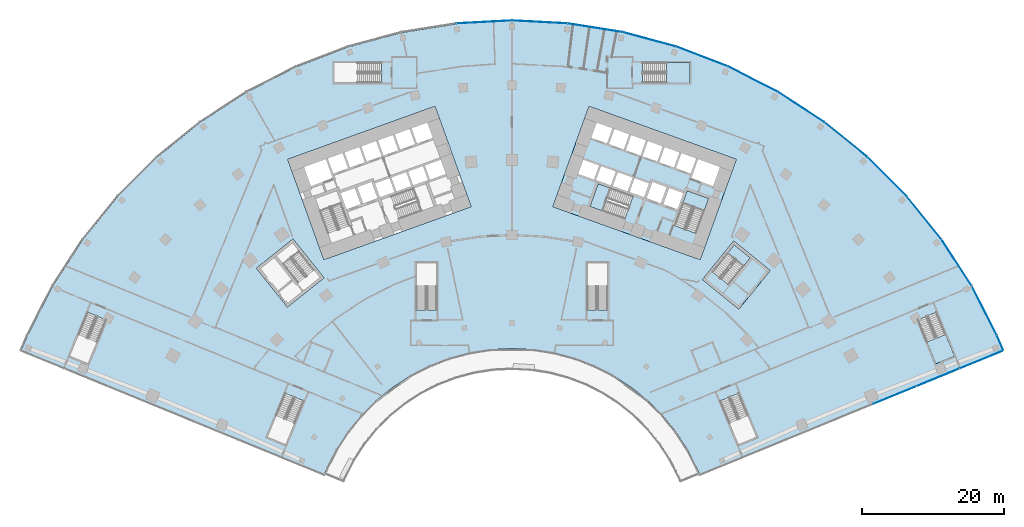
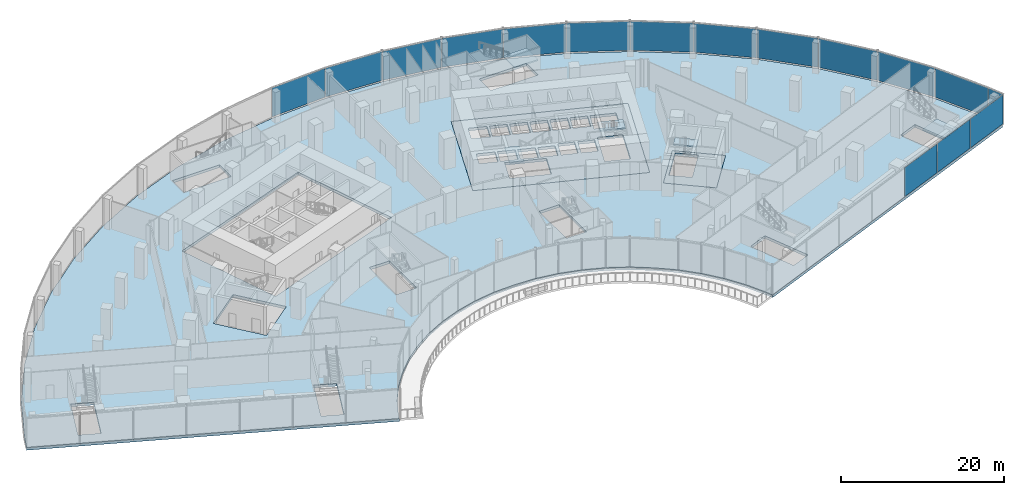
# One storey, part 21 of 39: 16 plates, 8 slabs, 7 elements without a shape of their own.
"""IFC4 building model written with IfcOpenShell, lengths in metres."""

from ifc_helpers import new_model, si_unit, direction, frame, origin, origin_2d, place, context, subcontext, project, spatial, polyline, rectangle, outline, extrude, material, layer, layer_set, type_object, element, aggregate, save


model = new_model("IFC4")

# Units and contexts
model_context = context("Model", 3, precision=1e-05, world=origin(), true_north=direction((0.0, 1.0)))
body_context = subcontext(model_context, "Body", "Model", "MODEL_VIEW")
ifc_project = project(units=[si_unit("LENGTHUNIT", "METRE"), si_unit("AREAUNIT", "SQUARE_METRE"), si_unit("VOLUMEUNIT", "CUBIC_METRE"), si_unit("PLANEANGLEUNIT", "RADIAN"), si_unit("MASSUNIT", "GRAM", prefix="KILO")], contexts=[model_context])

# Site, building, storey
site_placement = place(None, origin())
site = spatial("IfcSite", under=ifc_project, at=site_placement, CompositionType="ELEMENT")
building_placement = place(site_placement, origin())
building = spatial("IfcBuilding", under=site, at=building_placement, Name="Stone Belt Terrace Tower", CompositionType="ELEMENT")
storey_placement = place(building_placement, frame((0.0, 0.0, 20.800048828125)))
storey = spatial("IfcBuildingStorey", under=building, at=storey_placement, Name="L04", CompositionType="ELEMENT", Elevation=20.800048828125)

# Curtain wall, plates
ifc_material_1 = material(Name="Aluminium 6063-T6 anodised frame", Category="aluminium")
ifc_layer_1 = layer(ifc_material_1, 0.14990234375)
ifc_layer_set_1 = layer_set([ifc_layer_1], Name="CW-D podium shopfront")
curtain_wall_type = type_object("IfcCurtainWallType", Name="CW-D podium shopfront", PredefinedType="NOTDEFINED", material=ifc_layer_set_1)
curtain_wall_1_placement = place(storey_placement, origin())
curtain_wall_1 = element("IfcCurtainWall", 1, at=curtain_wall_1_placement, inside=storey, type_object=curtain_wall_type, Name="CW-D end face L04", PredefinedType="NOTDEFINED")
ifc_material_2 = material(Name="Clear double glazed unit")
ifc_layer_2 = layer(ifc_material_2, 0.031982421875)
ifc_layer_set_2 = layer_set([ifc_layer_2], Name="CW-D glass panel 32")
plate_type = type_object("IfcPlateType", Name="CW-D glass panel 32", PredefinedType="CURTAIN_PANEL", material=ifc_layer_set_2)
plate_1_placement = place(storey_placement, frame((53.76171875, 21.953857421875, 0.14013671875), z_axis=(0.0, 0.0, 1.0), x_axis=(0.925297074342, 0.379243093825, 0.0)))
plate_1 = element("IfcPlate", 2, at=plate_1_placement, type_object=plate_type, Name="CW-D panel 5.1", PredefinedType="CURTAIN_PANEL", context=body_context, shape_type="SweptSolid", body=[
    extrude(rectangle(XDim=6.511474609375, YDim=0.031982421875, at=origin_2d()), origin(), (0.0, 0.0, 1.0), 4.320068359375),
])
plate_2_placement = place(storey_placement, frame((59.84228515625, 24.446044921875, 0.14013671875), z_axis=(0.0, 0.0, 1.0), x_axis=(0.925297074342, 0.379243093825, 0.0)))
plate_2 = element("IfcPlate", 3, at=plate_2_placement, type_object=plate_type, Name="CW-D panel 6.1", PredefinedType="CURTAIN_PANEL", context=body_context, shape_type="SweptSolid", body=[
    extrude(rectangle(XDim=6.511474609375, YDim=0.031982421875, at=origin_2d()), origin(), (0.0, 0.0, 1.0), 4.320068359375),
])
plate_3_placement = place(storey_placement, frame((65.9375, 26.944091796875, 0.14013671875), z_axis=(0.0, 0.0, 1.0), x_axis=(0.925297074342, 0.379243093825, 0.0)))
plate_3 = element("IfcPlate", 4, at=plate_3_placement, type_object=plate_type, Name="CW-D panel 7.1", PredefinedType="CURTAIN_PANEL", context=body_context, shape_type="SweptSolid", body=[
    extrude(rectangle(XDim=6.54296875, YDim=0.031982421875, at=origin_2d()), origin(), (0.0, 0.0, 1.0), 4.320068359375),
])
aggregate(curtain_wall_1, [plate_1, plate_2, plate_3])

curtain_wall_2_placement = place(storey_placement, origin())
curtain_wall_2 = element("IfcCurtainWall", 5, at=curtain_wall_2_placement, inside=storey, type_object=curtain_wall_type, Name="CW-D convex face L04", PredefinedType="NOTDEFINED")
plate_4_placement = place(storey_placement, frame((68.572021484375, 29.292724609375, 0.14013671875), z_axis=(0.0, 0.0, 1.0), x_axis=(-0.393033792222, 0.919524028056, 0.0)))
plate_4 = element("IfcPlate", 6, at=plate_4_placement, type_object=plate_type, Name="CW-D panel 1.1", PredefinedType="CURTAIN_PANEL", context=body_context, shape_type="SweptSolid", body=[
    extrude(rectangle(XDim=2.19921875, YDim=0.031982421875, at=origin_2d()), origin(), (0.0, 0.0, 1.0), 4.320068359375),
])
plate_5_placement = place(storey_placement, frame((66.355712890625, 33.81005859375, 0.14013671875), z_axis=(0.0, 0.0, 1.0), x_axis=(-0.45399049974, 0.891006524188, 0.0)))
plate_5 = element("IfcPlate", 7, at=plate_5_placement, type_object=plate_type, Name="CW-D panel 2.1", PredefinedType="CURTAIN_PANEL", context=body_context, shape_type="SweptSolid", body=[
    extrude(rectangle(XDim=7.738037109375, YDim=0.031982421875, at=origin_2d()), origin(), (0.0, 0.0, 1.0), 4.320068359375),
])
plate_6_placement = place(storey_placement, frame((62.458251953125, 40.560791015625, 0.14013671875), z_axis=(0.0, 0.0, 1.0), x_axis=(-0.544639035015, 0.838670567945, 0.0)))
plate_6 = element("IfcPlate", 8, at=plate_6_placement, type_object=plate_type, Name="CW-D panel 3.1", PredefinedType="CURTAIN_PANEL", context=body_context, shape_type="SweptSolid", body=[
    extrude(rectangle(XDim=7.738037109375, YDim=0.031982421875, at=origin_2d()), origin(), (0.0, 0.0, 1.0), 4.320068359375),
])
plate_7_placement = place(storey_placement, frame((57.876220703125, 46.867431640625, 0.14013671875), z_axis=(0.0, 0.0, 1.0), x_axis=(-0.62932039105, 0.777145961457, 0.0)))
plate_7 = element("IfcPlate", 9, at=plate_7_placement, type_object=plate_type, Name="CW-D panel 4.1", PredefinedType="CURTAIN_PANEL", context=body_context, shape_type="SweptSolid", body=[
    extrude(rectangle(XDim=7.738037109375, YDim=0.031982421875, at=origin_2d()), origin(), (0.0, 0.0, 1.0), 4.320068359375),
])
plate_8_placement = place(storey_placement, frame((52.660400390625, 52.660400390625, 0.14013671875), z_axis=(0.0, 0.0, 1.0), x_axis=(-0.707106781187, 0.707106781187, 0.0)))
plate_8 = element("IfcPlate", 10, at=plate_8_placement, type_object=plate_type, Name="CW-D panel 5.1", PredefinedType="CURTAIN_PANEL", context=body_context, shape_type="SweptSolid", body=[
    extrude(rectangle(XDim=7.738037109375, YDim=0.031982421875, at=origin_2d()), origin(), (0.0, 0.0, 1.0), 4.320068359375),
])
plate_9_placement = place(storey_placement, frame((46.867431640625, 57.876220703125, 0.14013671875), z_axis=(0.0, 0.0, 1.0), x_axis=(-0.777145961457, 0.62932039105, 0.0)))
plate_9 = element("IfcPlate", 11, at=plate_9_placement, type_object=plate_type, Name="CW-D panel 6.1", PredefinedType="CURTAIN_PANEL", context=body_context, shape_type="SweptSolid", body=[
    extrude(rectangle(XDim=7.738037109375, YDim=0.031982421875, at=origin_2d()), origin(), (0.0, 0.0, 1.0), 4.320068359375),
])
plate_10_placement = place(storey_placement, frame((40.560791015625, 62.458251953125, 0.14013671875), z_axis=(0.0, 0.0, 1.0), x_axis=(-0.838670567945, 0.544639035015, 0.0)))
plate_10 = element("IfcPlate", 12, at=plate_10_placement, type_object=plate_type, Name="CW-D panel 7.1", PredefinedType="CURTAIN_PANEL", context=body_context, shape_type="SweptSolid", body=[
    extrude(rectangle(XDim=7.738037109375, YDim=0.031982421875, at=origin_2d()), origin(), (0.0, 0.0, 1.0), 4.320068359375),
])
plate_11_placement = place(storey_placement, frame((33.81005859375, 66.35595703125, 0.14013671875), z_axis=(0.0, 0.0, 1.0), x_axis=(-0.891006524188, 0.45399049974, 0.0)))
plate_11 = element("IfcPlate", 13, at=plate_11_placement, type_object=plate_type, Name="CW-D panel 8.1", PredefinedType="CURTAIN_PANEL", context=body_context, shape_type="SweptSolid", body=[
    extrude(rectangle(XDim=7.738037109375, YDim=0.031982421875, at=origin_2d()), origin(), (0.0, 0.0, 1.0), 4.320068359375),
])
plate_12_placement = place(storey_placement, frame((26.688720703125, 69.5263671875, 0.14013671875), z_axis=(0.0, 0.0, 1.0), x_axis=(-0.933580426497, 0.358367949545, 0.0)))
plate_12 = element("IfcPlate", 14, at=plate_12_placement, type_object=plate_type, Name="CW-D panel 9.1", PredefinedType="CURTAIN_PANEL", context=body_context, shape_type="SweptSolid", body=[
    extrude(rectangle(XDim=7.738037109375, YDim=0.031982421875, at=origin_2d()), origin(), (0.0, 0.0, 1.0), 4.320068359375),
])
plate_13_placement = place(storey_placement, frame((19.27490234375, 71.935302734375, 0.14013671875), z_axis=(0.0, 0.0, 1.0), x_axis=(-0.965925826289, 0.258819045103, 0.0)))
plate_13 = element("IfcPlate", 15, at=plate_13_placement, type_object=plate_type, Name="CW-D panel 10.1", PredefinedType="CURTAIN_PANEL", context=body_context, shape_type="SweptSolid", body=[
    extrude(rectangle(XDim=7.738037109375, YDim=0.031982421875, at=origin_2d()), origin(), (0.0, 0.0, 1.0), 4.320068359375),
])
plate_14_placement = place(storey_placement, frame((11.650146484375, 73.555908203125, 0.14013671875), z_axis=(0.0, 0.0, 1.0), x_axis=(-0.987688340595, 0.15643446504, 0.0)))
plate_14 = element("IfcPlate", 16, at=plate_14_placement, type_object=plate_type, Name="CW-D panel 11.1", PredefinedType="CURTAIN_PANEL", context=body_context, shape_type="SweptSolid", body=[
    extrude(rectangle(XDim=7.738037109375, YDim=0.031982421875, at=origin_2d()), origin(), (0.0, 0.0, 1.0), 4.320068359375),
])
plate_15_placement = place(storey_placement, frame((3.897705078125, 74.370849609375, 0.14013671875), z_axis=(0.0, 0.0, 1.0), x_axis=(-0.998629534755, 0.052335956243, 0.0)))
plate_15 = element("IfcPlate", 17, at=plate_15_placement, type_object=plate_type, Name="CW-D panel 12.1", PredefinedType="CURTAIN_PANEL", context=body_context, shape_type="SweptSolid", body=[
    extrude(rectangle(XDim=7.738037109375, YDim=0.031982421875, at=origin_2d()), origin(), (0.0, 0.0, 1.0), 4.320068359375),
])
plate_16_placement = place(storey_placement, frame((-3.897705078125, 74.370849609375, 0.14013671875), z_axis=(0.0, 0.0, 1.0), x_axis=(-0.998629534755, -0.052335956243, 0.0)))
plate_16 = element("IfcPlate", 18, at=plate_16_placement, type_object=plate_type, Name="CW-D panel 13.1", PredefinedType="CURTAIN_PANEL", context=body_context, shape_type="SweptSolid", body=[
    extrude(rectangle(XDim=7.738037109375, YDim=0.031982421875, at=origin_2d()), origin(), (0.0, 0.0, 1.0), 4.320068359375),
])
aggregate(curtain_wall_2, [plate_4, plate_5, plate_6, plate_7, plate_8, plate_9, plate_10, plate_11, plate_12, plate_13, plate_14, plate_15, plate_16])

# Slabs
ifc_material_3 = material(Name="Concrete B40", Category="concrete")
ifc_layer_3 = layer(ifc_material_3, 0.39990234375)
ifc_layer_set_3 = layer_set([ifc_layer_3], Name="Core floor slab 400")
slab_type_1 = type_object("IfcSlabType", Name="Core floor slab 400", PredefinedType="FLOOR", material=ifc_layer_set_3)
slab_1_placement = place(storey_placement, frame((0.0, 0.0, -0.400146484375)))
element("IfcSlab", 19, at=slab_1_placement, inside=storey, type_object=slab_type_1, Name="Core B floor L04", PredefinedType="FLOOR", context=body_context, shape_type="SweptSolid", body=[
    extrude(outline(polyline([(26.43505859375, 40.968994140625), (31.513916015625, 55.0830078125), (10.81396484375, 62.531982421875), (5.735107421875, 48.4189453125), (26.43505859375, 40.968994140625)]), holes=[polyline([(12.10595703125, 51.652099609375), (16.998046875, 49.89208984375), (15.846923828125, 46.69189453125), (10.955078125, 48.452880859375), (12.10595703125, 51.652099609375)]), polyline([(19.239990234375, 51.68896484375), (18.5458984375, 49.760009765625), (16.52294921875, 50.488037109375), (17.217041015625, 52.4169921875), (19.239990234375, 51.68896484375)]), polyline([(16.239990234375, 50.589111328125), (14.169921875, 51.333984375), (14.864013671875, 53.262939453125), (16.93408203125, 52.51806640625), (16.239990234375, 50.589111328125)]), polyline([(14.58203125, 53.364990234375), (13.887939453125, 51.43603515625), (11.864990234375, 52.1640625), (11.847900390625, 52.116943359375), (11.801025390625, 52.134033203125), (12.511962890625, 54.110107421875), (14.58203125, 53.364990234375)]), polyline([(9.30810546875, 53.031005859375), (10.01904296875, 55.007080078125), (12.22998046875, 54.2109375), (11.51904296875, 52.235107421875), (9.30810546875, 53.031005859375)]), polyline([(16.743896484375, 58.485107421875), (18.81396484375, 57.739990234375), (18.052001953125, 55.623046875), (15.98193359375, 56.367919921875), (16.743896484375, 58.485107421875)]), polyline([(14.39111328125, 59.33203125), (16.4609375, 58.5869140625), (15.699951171875, 56.469970703125), (13.6298828125, 57.215087890625), (14.39111328125, 59.33203125)]), polyline([(11.89794921875, 60.22900390625), (14.10888671875, 59.43408203125), (13.346923828125, 57.31591796875), (11.135986328125, 58.112060546875), (11.89794921875, 60.22900390625)]), polyline([(25.85888671875, 44.68408203125), (22.847900390625, 45.76806640625), (24.60791015625, 50.659912109375), (27.618896484375, 49.575927734375), (25.85888671875, 44.68408203125)]), polyline([(21.27392578125, 48.778076171875), (22.0869140625, 51.035888671875), (24.06298828125, 50.324951171875), (23.25, 48.06689453125), (21.27392578125, 48.778076171875)]), polyline([(18.922119140625, 49.6240234375), (19.735107421875, 51.883056640625), (21.7109375, 51.1708984375), (20.89794921875, 48.9130859375), (18.922119140625, 49.6240234375)]), polyline([(29.2109375, 53.9990234375), (28.24609375, 51.31689453125), (25.18798828125, 52.41796875), (26.153076171875, 55.09912109375), (29.2109375, 53.9990234375)]), polyline([(23.801025390625, 55.946044921875), (25.87109375, 55.200927734375), (25.10888671875, 53.083984375), (23.0390625, 53.8291015625), (23.801025390625, 55.946044921875)]), polyline([(21.447998046875, 56.7919921875), (23.51806640625, 56.047119140625), (22.756103515625, 53.929931640625), (20.68603515625, 54.675048828125), (21.447998046875, 56.7919921875)]), polyline([(19.095947265625, 57.638916015625), (21.166015625, 56.89404296875), (20.404052734375, 54.777099609375), (18.333984375, 55.52197265625), (19.095947265625, 57.638916015625)])]), origin(), (0.0, 0.0, 1.0), 0.400146484375),
])
slab_2_placement = place(storey_placement, frame((0.0, 0.0, -0.400146484375)))
element("IfcSlab", 20, at=slab_2_placement, inside=storey, type_object=slab_type_1, Name="Exit stair ST3B floor L04", PredefinedType="FLOOR", context=body_context, shape_type="SweptSolid", body=[
    extrude(outline(polyline([(26.741943359375, 38.18408203125), (31.866943359375, 34.02392578125), (36.278076171875, 39.458984375), (31.154052734375, 43.618896484375), (26.741943359375, 38.18408203125)]), holes=[polyline([(30.407958984375, 37.462890625), (28.156005859375, 39.291015625), (31.2119140625, 43.055908203125), (33.464111328125, 41.22802734375), (30.407958984375, 37.462890625)])]), origin(), (0.0, 0.0, 1.0), 0.400146484375),
])
ifc_layer_4 = layer(ifc_material_3, 0.39990234375)
ifc_layer_set_4 = layer_set([ifc_layer_4], Name="Floor slab 400 B40")
slab_type_2 = type_object("IfcSlabType", Name="Floor slab 400 B40", PredefinedType="FLOOR", material=ifc_layer_set_4)
slab_3_placement = place(storey_placement, frame((0.0, 0.0, -0.400146484375)))
element("IfcSlab", 21, at=slab_3_placement, inside=storey, type_object=slab_type_2, Name="Floor slab L04", PredefinedType="FLOOR", context=body_context, shape_type="SweptSolid", body=[
    extrude(outline(polyline([(-7.787353515625, 74.091796875), (0.0, 74.5), (7.787353515625, 74.091796875), (15.489501953125, 72.8720703125), (23.021728515625, 70.853759765625), (30.302001953125, 68.05908203125), (37.25, 64.518798828125), (43.7900390625, 60.271728515625), (49.85009765625, 55.3642578125), (55.3642578125, 49.85009765625), (60.271728515625, 43.7900390625), (64.518798828125, 37.25), (68.05908203125, 30.302001953125), (68.9345703125, 28.253662109375), (26.37109375, 10.808349609375), (26.035888671875, 11.592041015625), (24.681640625, 14.25), (23.056884765625, 16.751953125), (21.1796875, 19.0703125), (19.0703125, 21.1796875), (16.751953125, 23.056884765625), (14.25, 24.681640625), (11.592041015625, 26.035888671875), (8.806884765625, 27.10498046875), (5.925537109375, 27.877197265625), (2.97900390625, 28.343994140625), (0.0, 28.5), (-2.97900390625, 28.343994140625), (-5.925537109375, 27.877197265625), (-8.806884765625, 27.10498046875), (-11.592041015625, 26.035888671875), (-14.25, 24.681640625), (-16.751953125, 23.056884765625), (-19.0703125, 21.1796875), (-21.1796875, 19.0703125), (-23.056884765625, 16.751953125), (-24.681640625, 14.25), (-26.035888671875, 11.592041015625), (-26.37109375, 10.808349609375), (-68.9345703125, 28.253662109375), (-68.05908203125, 30.302001953125), (-64.518798828125, 37.25), (-60.271728515625, 43.7900390625), (-55.3642578125, 49.85009765625), (-49.85009765625, 55.3642578125), (-43.7900390625, 60.271728515625), (-37.25, 64.518798828125), (-30.302001953125, 68.05908203125), (-23.021728515625, 70.853759765625), (-15.489501953125, 72.8720703125), (-7.787353515625, 74.091796875)]), holes=[polyline([(-26.434814453125, 40.968994140625), (-5.734619140625, 48.418701171875), (-10.81396484375, 62.532470703125), (-31.51416015625, 55.082763671875), (-26.434814453125, 40.968994140625)]), polyline([(10.81396484375, 62.532470703125), (5.734619140625, 48.418701171875), (26.434814453125, 40.968994140625), (31.51416015625, 55.082763671875), (10.81396484375, 62.532470703125)]), polyline([(-31.77099609375, 14.969970703125), (-29.243896484375, 21.135986328125), (-31.881103515625, 22.217041015625), (-34.407958984375, 16.051025390625), (-31.77099609375, 14.969970703125)]), polyline([(-62.1669921875, 27.427978515625), (-59.530029296875, 26.347900390625), (-57.0029296875, 32.513916015625), (-59.639892578125, 33.594970703125), (-62.1669921875, 27.427978515625)]), polyline([(29.243896484375, 21.135986328125), (31.77099609375, 14.969970703125), (34.407958984375, 16.051025390625), (31.881103515625, 22.217041015625), (29.243896484375, 21.135986328125)]), polyline([(59.639892578125, 33.594970703125), (57.0029296875, 32.513916015625), (59.530029296875, 26.347900390625), (62.1669921875, 27.427978515625), (59.639892578125, 33.594970703125)]), polyline([(-13.425048828125, 40.556884765625), (-13.425048828125, 33.89306640625), (-10.574951171875, 33.89306640625), (-10.574951171875, 40.556884765625), (-13.425048828125, 40.556884765625)]), polyline([(13.425048828125, 40.556884765625), (10.574951171875, 40.556884765625), (10.574951171875, 33.89306640625), (13.425048828125, 33.89306640625), (13.425048828125, 40.556884765625)]), polyline([(-18.343017578125, 68.675048828125), (-25.007080078125, 68.675048828125), (-25.007080078125, 65.824951171875), (-18.343017578125, 65.824951171875), (-18.343017578125, 68.675048828125)]), polyline([(18.343017578125, 68.675048828125), (18.343017578125, 65.824951171875), (25.007080078125, 65.824951171875), (25.007080078125, 68.675048828125), (18.343017578125, 68.675048828125)]), polyline([(-35.91796875, 39.787353515625), (-31.55615234375, 34.3125), (-26.39404296875, 38.425048828125), (-30.756103515625, 43.89990234375), (-35.91796875, 39.787353515625)]), polyline([(36.2783203125, 39.459228515625), (31.15380859375, 43.61865234375), (26.742431640625, 38.18359375), (31.86669921875, 34.024169921875), (36.2783203125, 39.459228515625)])]), origin(), (0.0, 0.0, 1.0), 0.400146484375),
])

# Stair, slab
ifc_material_4 = material(Name="Concrete B30", Category="concrete")
stair_type_1 = type_object("IfcStairType", Name="Podium stair concrete B30", PredefinedType="HALF_TURN_STAIR", material=ifc_material_4)
stair_1_placement = place(storey_placement, origin())
stair_1 = element("IfcStair", 22, at=stair_1_placement, inside=storey, type_object=stair_type_1, Name="L04 podium exit stair 4", PredefinedType="HALF_TURN_STAIR")
ifc_layer_5 = layer(ifc_material_4, 0.199951171875)
ifc_layer_set_5 = layer_set([ifc_layer_5], Name="Podium stair landing concrete B30")
slab_type_3 = type_object("IfcSlabType", Name="Podium stair landing concrete B30", PredefinedType="LANDING", material=ifc_layer_set_5)
slab_4_placement = place(storey_placement, frame((0.0, 0.0, 2.099853515625)))
slab_4 = element("IfcSlab", 23, at=slab_4_placement, type_object=slab_type_3, Name="PS4 landing 1", PredefinedType="LANDING", context=body_context, shape_type="SweptSolid", body=[
    extrude(outline(polyline([(58.274658203125, 29.410400390625), (59.531005859375, 26.3447265625), (62.168212890625, 27.425537109375), (60.91162109375, 30.4912109375), (58.274658203125, 29.410400390625)])), origin(), (0.0, 0.0, 1.0), 0.2001953125),
])
aggregate(stair_1, [slab_4])

stair_2_placement = place(storey_placement, origin())
stair_2 = element("IfcStair", 24, at=stair_2_placement, inside=storey, type_object=stair_type_1, Name="L04 podium exit stair 8", PredefinedType="HALF_TURN_STAIR")
slab_5_placement = place(storey_placement, frame((0.0, 0.0, 2.099853515625)))
slab_5 = element("IfcSlab", 25, at=slab_5_placement, type_object=slab_type_3, Name="PS8 landing 1", PredefinedType="LANDING", context=body_context, shape_type="SweptSolid", body=[
    extrude(outline(polyline([(21.697021484375, 65.824951171875), (25.010009765625, 65.824951171875), (25.010009765625, 68.675048828125), (21.697021484375, 68.675048828125), (21.697021484375, 65.824951171875)])), origin(), (0.0, 0.0, 1.0), 0.2001953125),
])
aggregate(stair_2, [slab_5])

stair_type_2 = type_object("IfcStairType", Name="Exit stair 1500", PredefinedType="HALF_TURN_STAIR", material=ifc_material_3)
stair_3_placement = place(storey_placement, origin())
stair_3 = element("IfcStair", 26, at=stair_3_placement, inside=storey, type_object=stair_type_2, Name="L04 Exit stair 1 core B", PredefinedType="HALF_TURN_STAIR")
ifc_layer_6 = layer(ifc_material_3, 0.199951171875)
ifc_layer_set_6 = layer_set([ifc_layer_6], Name="Stair landing 200")
slab_type_4 = type_object("IfcSlabType", Name="Stair landing 200", PredefinedType="LANDING", material=ifc_layer_set_6)
slab_6_placement = place(storey_placement, frame((0.0, 0.0, 2.099853515625)))
slab_6 = element("IfcSlab", 27, at=slab_6_placement, type_object=slab_type_4, Name="ST1B landing 1", PredefinedType="LANDING", context=body_context, shape_type="SweptSolid", body=[
    extrude(outline(polyline([(26.99609375, 47.84423828125), (27.619384765625, 49.576171875), (24.6083984375, 50.659912109375), (23.985107421875, 48.927734375), (26.99609375, 47.84423828125)])), origin(), (0.0, 0.0, 1.0), 0.2001953125),
])
aggregate(stair_3, [slab_6])

stair_4_placement = place(storey_placement, origin())
stair_4 = element("IfcStair", 28, at=stair_4_placement, inside=storey, type_object=stair_type_2, Name="L04 Exit stair 2 core B", PredefinedType="HALF_TURN_STAIR")
slab_7_placement = place(storey_placement, frame((0.0, 0.0, 2.099853515625)))
slab_7 = element("IfcSlab", 29, at=slab_7_placement, type_object=slab_type_4, Name="ST2B landing 1", PredefinedType="LANDING", context=body_context, shape_type="SweptSolid", body=[
    extrude(outline(polyline([(13.837890625, 51.02880859375), (12.10595703125, 51.652099609375), (10.95458984375, 48.453125), (12.6865234375, 47.82958984375), (13.837890625, 51.02880859375)])), origin(), (0.0, 0.0, 1.0), 0.2001953125),
])
aggregate(stair_4, [slab_7])

stair_5_placement = place(storey_placement, origin())
stair_5 = element("IfcStair", 30, at=stair_5_placement, inside=storey, type_object=stair_type_2, Name="L04 Exit stair 3B", PredefinedType="HALF_TURN_STAIR")
slab_8_placement = place(storey_placement, frame((0.0, 0.0, 2.099853515625)))
slab_8 = element("IfcSlab", 31, at=slab_8_placement, type_object=slab_type_4, Name="ST3B landing 1", PredefinedType="LANDING", context=body_context, shape_type="SweptSolid", body=[
    extrude(outline(polyline([(32.5244140625, 40.07080078125), (33.4638671875, 41.228271484375), (31.21240234375, 43.055908203125), (30.272705078125, 41.8984375), (32.5244140625, 40.07080078125)])), origin(), (0.0, 0.0, 1.0), 0.2001953125),
])
aggregate(stair_5, [slab_8])

save(model, "model.ifc")
